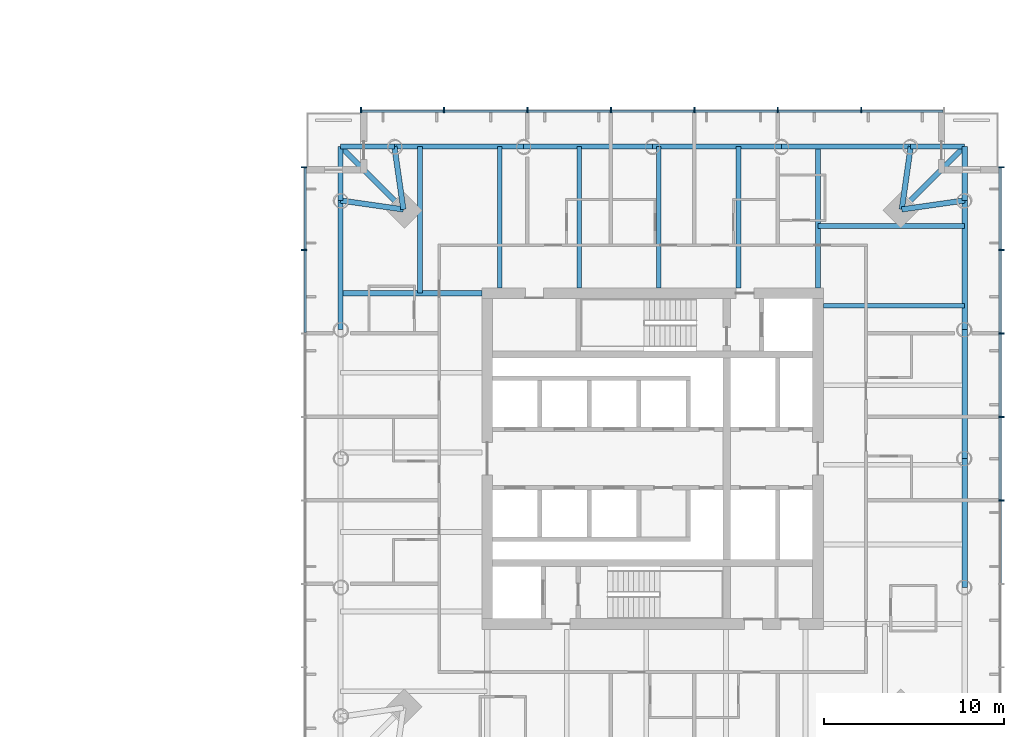
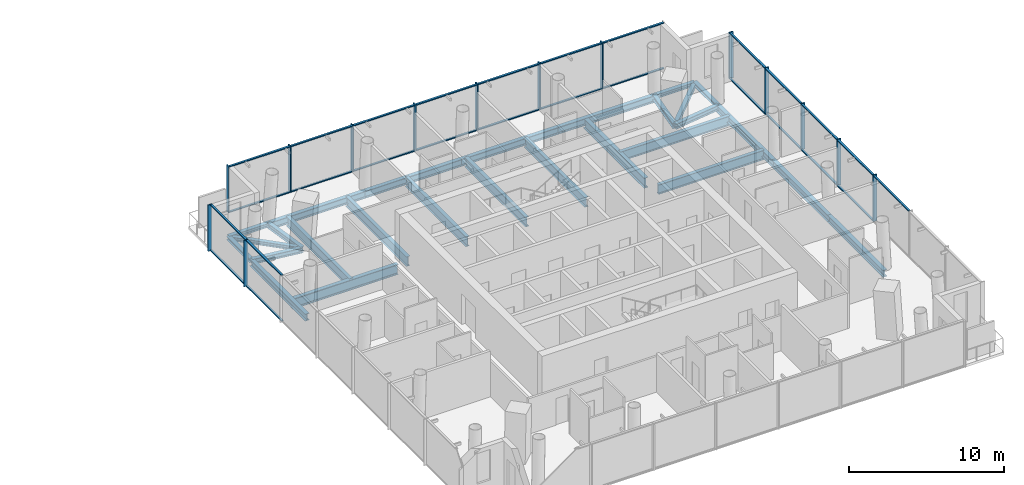
# One storey, part 6 of 21: 41 members, 27 beams, 3 elements without a shape of their own.
"""IFC4 building model written with IfcOpenShell, lengths in metres."""

from ifc_helpers import new_model, si_unit, direction, frame, origin, origin_2d, place, context, subcontext, project, spatial, rectangle, i_section, extrude, material, material_profile, profile_set, type_object, element, aggregate, save


model = new_model("IFC4")

# Units and contexts
model_context = context("Model", 3, precision=1e-05, world=origin(), true_north=direction((0.0, 1.0)))
body_context = subcontext(model_context, "Body", "Model", "MODEL_VIEW")
ifc_project = project(units=[si_unit("LENGTHUNIT", "METRE"), si_unit("AREAUNIT", "SQUARE_METRE"), si_unit("VOLUMEUNIT", "CUBIC_METRE"), si_unit("PLANEANGLEUNIT", "RADIAN"), si_unit("MASSUNIT", "GRAM", prefix="KILO")], contexts=[model_context])

# Site, building, storey
site_placement = place(None, origin())
site = spatial("IfcSite", under=ifc_project, at=site_placement, CompositionType="ELEMENT")
building_placement = place(site_placement, origin())
building = spatial("IfcBuilding", under=site, at=building_placement, Name="Ostroluk Exchange", CompositionType="ELEMENT")
storey_placement = place(building_placement, frame((0.0, 0.0, 59.0)))
storey = spatial("IfcBuildingStorey", under=building, at=storey_placement, Name="L14", CompositionType="ELEMENT", Elevation=59.0)

# Beams
ifc_material_1 = material(Name="Steel S355", Category="steel")
ifc_material_profile_1 = material_profile(ifc_material_1, i_section(OverallWidth=0.300048828125, OverallDepth=0.300048828125, WebThickness=0.010986328125, FlangeThickness=0.01904296875, FilletRadius=0.027099609375, at=origin_2d()), Name="HEB 300")
ifc_profile_set_1 = profile_set([ifc_material_profile_1], Name="Steel S355")
beam_type_1 = type_object("IfcBeamType", Name="Balcony beam HEB 300", PredefinedType="BEAM", material=ifc_profile_set_1)
for number, where, z_axis, x_axis, name in (
    (1, (134.362060546875, 60.362060546875, -0.35009765625), (0.0, 1.0, 0.0), (-1.0, 0.0, 0.0), "T2 east balcony beam a"),
    (2, (131.362060546875, 63.362060546875, -0.35009765625), (1.0, 0.0, 0.0), (0.0, 1.0, 0.0), "T2 east balcony beam b"),
):
    element("IfcBeam", number, at=place(storey_placement, frame(where, z_axis=z_axis, x_axis=x_axis)), inside=storey, type_object=beam_type_1, Name=name, PredefinedType="BEAM", context=body_context, shape_type="SweptSolid", body=[
        extrude(i_section(OverallWidth=0.300048828125, OverallDepth=0.300048828125, WebThickness=0.010986328125, FlangeThickness=0.01904296875, FilletRadius=0.027099609375, at=origin_2d()), origin(), (0.0, 0.0, 1.0), 3.0),
    ])
beam_1_placement = place(storey_placement, frame((130.862060546875, 59.862060546875, -0.35009765625), z_axis=(0.707106781187, 0.707106781187, 0.0), x_axis=(-0.707106781187, 0.707106781187, 0.0)))
element("IfcBeam", 3, at=beam_1_placement, inside=storey, type_object=beam_type_1, Name="T2 east balcony beam c", PredefinedType="BEAM", context=body_context, shape_type="SweptSolid", body=[
    extrude(i_section(OverallWidth=0.300048828125, OverallDepth=0.300048828125, WebThickness=0.010986328125, FlangeThickness=0.01904296875, FilletRadius=0.027099609375, at=origin_2d()), origin(), (0.0, 0.0, 1.0), 4.94970703125),
])
for number, where, z_axis, x_axis, name in (
    (4, (102.637939453125, 63.362060546875, -0.35009765625), (-1.0, 0.0, 0.0), (0.0, -1.0, 0.0), "T2 north balcony beam a"),
    (5, (99.637939453125, 60.362060546875, -0.35009765625), (0.0, 1.0, 0.0), (-1.0, 0.0, 0.0), "T2 north balcony beam b"),
):
    element("IfcBeam", number, at=place(storey_placement, frame(where, z_axis=z_axis, x_axis=x_axis)), inside=storey, type_object=beam_type_1, Name=name, PredefinedType="BEAM", context=body_context, shape_type="SweptSolid", body=[
        extrude(i_section(OverallWidth=0.300048828125, OverallDepth=0.300048828125, WebThickness=0.010986328125, FlangeThickness=0.01904296875, FilletRadius=0.027099609375, at=origin_2d()), origin(), (0.0, 0.0, 1.0), 3.0),
    ])
beam_2_placement = place(storey_placement, frame((103.137939453125, 59.862060546875, -0.35009765625), z_axis=(-0.707106781187, 0.707106781187, 0.0), x_axis=(-0.707106781187, -0.707106781187, 0.0)))
element("IfcBeam", 6, at=beam_2_placement, inside=storey, type_object=beam_type_1, Name="T2 north balcony beam c", PredefinedType="BEAM", context=body_context, shape_type="SweptSolid", body=[
    extrude(i_section(OverallWidth=0.300048828125, OverallDepth=0.300048828125, WebThickness=0.010986328125, FlangeThickness=0.01904296875, FilletRadius=0.027099609375, at=origin_2d()), origin(), (0.0, 0.0, 1.0), 4.94970703125),
])
ifc_material_2 = material(Name="Steel S355", Category="steel")
ifc_material_profile_2 = material_profile(ifc_material_2, i_section(OverallWidth=0.300048828125, OverallDepth=0.39990234375, WebThickness=0.013427734375, FlangeThickness=0.02392578125, FilletRadius=0.027099609375, at=origin_2d()), Name="HEB 400")
ifc_profile_set_2 = profile_set([ifc_material_profile_2], Name="Steel S355")
beam_type_2 = type_object("IfcBeamType", Name="Corner edge beam HEB 400", PredefinedType="SPANDREL", material=ifc_profile_set_2)
for number, where, z_axis, x_axis, name in (
    (7, (130.862060546875, 59.862060546875, -0.39990234375), (0.989949493661, 0.141421356237, 0.0), (-0.141421356237, 0.989949493661, 0.0), "T2 east corner edge beam a"),
    (8, (130.862060546875, 59.862060546875, -0.39990234375), (0.141421356237, 0.989949493661, 0.0), (-0.989949493661, 0.141421356237, 0.0), "T2 east corner edge beam b"),
    (9, (103.137939453125, 59.862060546875, -0.39990234375), (-0.141421356237, 0.989949493661, 0.0), (-0.989949493661, -0.141421356237, 0.0), "T2 north corner edge beam a"),
    (10, (103.137939453125, 59.862060546875, -0.39990234375), (-0.989949493661, 0.141421356237, 0.0), (-0.141421356237, -0.989949493661, 0.0), "T2 north corner edge beam b"),
):
    element("IfcBeam", number, at=place(storey_placement, frame(where, z_axis=z_axis, x_axis=x_axis)), inside=storey, type_object=beam_type_2, Name=name, PredefinedType="SPANDREL", context=body_context, shape_type="SweptSolid", body=[
        extrude(i_section(OverallWidth=0.300048828125, OverallDepth=0.39990234375, WebThickness=0.013427734375, FlangeThickness=0.02392578125, FilletRadius=0.027099609375, at=origin_2d()), origin(), (0.0, 0.0, 1.0), 3.53564453125),
    ])
ifc_material_3 = material(Name="Steel S355", Category="steel")
ifc_material_profile_3 = material_profile(ifc_material_3, i_section(OverallWidth=0.264892578125, OverallDepth=0.7529296875, WebThickness=0.01318359375, FlangeThickness=0.01708984375, FilletRadius=0.01708984375, at=origin_2d()), Name="IPE 750x147")
ifc_profile_set_3 = profile_set([ifc_material_profile_3], Name="Steel S355")
beam_type_3 = type_object("IfcBeamType", Name="Floor beam IPE 750x147", PredefinedType="BEAM", material=ifc_profile_set_3)
beam_3_placement = place(storey_placement, frame((126.5, 54.508056640625, -0.576416015625), z_axis=(1.0, 0.0, 0.0), x_axis=(0.0, 1.0, 0.0)))
element("IfcBeam", 11, at=beam_3_placement, inside=storey, type_object=beam_type_3, Name="T2 east floor beam 4", PredefinedType="BEAM", context=body_context, shape_type="SweptSolid", body=[
    extrude(i_section(OverallWidth=0.264892578125, OverallDepth=0.7529296875, WebThickness=0.01318359375, FlangeThickness=0.01708984375, FilletRadius=0.01708984375, at=origin_2d()), origin(), (0.0, 0.0, 1.0), 7.862060546875),
])
beam_4_placement = place(storey_placement, frame((126.199951171875, 58.93505859375, -0.576416015625), z_axis=(1.0, 0.0, 0.0), x_axis=(0.0, 1.0, 0.0)))
element("IfcBeam", 12, at=beam_4_placement, inside=storey, type_object=beam_type_3, Name="T2 east floor beam 5", PredefinedType="BEAM", context=body_context, shape_type="SweptSolid", body=[
    extrude(i_section(OverallWidth=0.264892578125, OverallDepth=0.7529296875, WebThickness=0.01318359375, FlangeThickness=0.01708984375, FilletRadius=0.01708984375, at=origin_2d()), origin(), (0.0, 0.0, 1.0), 8.162109375),
])
for number, where, z_axis, x_axis, name in (
    (13, (121.77294921875, 55.5, -0.576416015625), (0.0, 1.0, 0.0), (-1.0, 0.0, 0.0), "T2 north floor beam 1"),
    (14, (117.345947265625, 55.5, -0.576416015625), (0.0, 1.0, 0.0), (-1.0, 0.0, 0.0), "T2 north floor beam 2"),
    (15, (112.9189453125, 55.5, -0.576416015625), (0.0, 1.0, 0.0), (-1.0, 0.0, 0.0), "T2 north floor beam 3"),
    (16, (108.491943359375, 55.5, -0.576416015625), (0.0, 1.0, 0.0), (-1.0, 0.0, 0.0), "T2 north floor beam 4"),
):
    element("IfcBeam", number, at=place(storey_placement, frame(where, z_axis=z_axis, x_axis=x_axis)), inside=storey, type_object=beam_type_3, Name=name, PredefinedType="BEAM", context=body_context, shape_type="SweptSolid", body=[
        extrude(i_section(OverallWidth=0.264892578125, OverallDepth=0.7529296875, WebThickness=0.01318359375, FlangeThickness=0.01708984375, FilletRadius=0.01708984375, at=origin_2d()), origin(), (0.0, 0.0, 1.0), 7.862060546875),
    ])
beam_5_placement = place(storey_placement, frame((104.06494140625, 55.199951171875, -0.576416015625), z_axis=(0.0, 1.0, 0.0), x_axis=(-1.0, 0.0, 0.0)))
element("IfcBeam", 17, at=beam_5_placement, inside=storey, type_object=beam_type_3, Name="T2 north floor beam 5", PredefinedType="BEAM", context=body_context, shape_type="SweptSolid", body=[
    extrude(i_section(OverallWidth=0.264892578125, OverallDepth=0.7529296875, WebThickness=0.01318359375, FlangeThickness=0.01708984375, FilletRadius=0.01708984375, at=origin_2d()), origin(), (0.0, 0.0, 1.0), 8.162109375),
])
ifc_material_4 = material(Name="Steel S355", Category="steel")
ifc_material_profile_4 = material_profile(ifc_material_4, i_section(OverallWidth=0.300048828125, OverallDepth=0.800048828125, WebThickness=0.017578125, FlangeThickness=0.032958984375, FilletRadius=0.030029296875, at=origin_2d()), Name="HEB 800")
ifc_profile_set_4 = profile_set([ifc_material_profile_4], Name="Steel S355")
beam_type_4 = type_object("IfcBeamType", Name="Girder HEB 800", PredefinedType="BEAM", material=ifc_profile_set_4)
for number, where, z_axis, x_axis, name in (
    (18, (126.199951171875, 55.5, -0.60009765625), (0.0, 1.0, 0.0), (-1.0, 0.0, 0.0), "T2 east girder"),
    (19, (107.5, 55.199951171875, -0.60009765625), (-1.0, 0.0, 0.0), (0.0, -1.0, 0.0), "T2 north girder"),
):
    element("IfcBeam", number, at=place(storey_placement, frame(where, z_axis=z_axis, x_axis=x_axis)), inside=storey, type_object=beam_type_4, Name=name, PredefinedType="BEAM", context=body_context, shape_type="SweptSolid", body=[
        extrude(i_section(OverallWidth=0.300048828125, OverallDepth=0.800048828125, WebThickness=0.017578125, FlangeThickness=0.032958984375, FilletRadius=0.030029296875, at=origin_2d()), origin(), (0.0, 0.0, 1.0), 7.862060546875),
    ])
ifc_material_5 = material(Name="Steel S355", Category="steel")
ifc_material_profile_5 = material_profile(ifc_material_5, i_section(OverallWidth=0.300048828125, OverallDepth=0.550048828125, WebThickness=0.014892578125, FlangeThickness=0.029052734375, FilletRadius=0.027099609375, at=origin_2d()), Name="HEB 550")
ifc_profile_set_5 = profile_set([ifc_material_profile_5], Name="Steel S355")
beam_type_5 = type_object("IfcBeamType", Name="Moment-connected edge beam HEB 550", PredefinedType="SPANDREL", material=ifc_profile_set_5)
for number, where, z_axis, x_axis, name in (
    (20, (134.362060546875, 38.81884765625, -0.47509765625), (0.0, 1.0, 0.0), (-1.0, 0.0, 0.0), "T2 east edge beam 2"),
    (21, (134.362060546875, 46.0, -0.47509765625), (0.0, 1.0, 0.0), (-1.0, 0.0, 0.0), "T2 east edge beam 3"),
):
    element("IfcBeam", number, at=place(storey_placement, frame(where, z_axis=z_axis, x_axis=x_axis)), inside=storey, type_object=beam_type_5, Name=name, PredefinedType="SPANDREL", context=body_context, shape_type="SweptSolid", body=[
        extrude(i_section(OverallWidth=0.300048828125, OverallDepth=0.550048828125, WebThickness=0.014892578125, FlangeThickness=0.029052734375, FilletRadius=0.027099609375, at=origin_2d()), origin(), (0.0, 0.0, 1.0), 7.18115234375),
    ])
for number, where, z_axis, x_axis, name in (
    (22, (134.362060546875, 53.18115234375, -0.47509765625), (0.0, 1.0, 0.0), (-1.0, 0.0, 0.0), "T2 east edge beam 4"),
    (23, (131.362060546875, 63.362060546875, -0.47509765625), (-1.0, 0.0, 0.0), (0.0, -1.0, 0.0), "T2 north edge beam 1"),
):
    element("IfcBeam", number, at=place(storey_placement, frame(where, z_axis=z_axis, x_axis=x_axis)), inside=storey, type_object=beam_type_5, Name=name, PredefinedType="SPANDREL", context=body_context, shape_type="SweptSolid", body=[
        extrude(i_section(OverallWidth=0.300048828125, OverallDepth=0.550048828125, WebThickness=0.014892578125, FlangeThickness=0.029052734375, FilletRadius=0.027099609375, at=origin_2d()), origin(), (0.0, 0.0, 1.0), 7.180908203125),
    ])
for number, where, z_axis, x_axis, name in (
    (24, (124.18115234375, 63.362060546875, -0.47509765625), (-1.0, 0.0, 0.0), (0.0, -1.0, 0.0), "T2 north edge beam 2"),
    (25, (117.0, 63.362060546875, -0.47509765625), (-1.0, 0.0, 0.0), (0.0, -1.0, 0.0), "T2 north edge beam 3"),
):
    element("IfcBeam", number, at=place(storey_placement, frame(where, z_axis=z_axis, x_axis=x_axis)), inside=storey, type_object=beam_type_5, Name=name, PredefinedType="SPANDREL", context=body_context, shape_type="SweptSolid", body=[
        extrude(i_section(OverallWidth=0.300048828125, OverallDepth=0.550048828125, WebThickness=0.014892578125, FlangeThickness=0.029052734375, FilletRadius=0.027099609375, at=origin_2d()), origin(), (0.0, 0.0, 1.0), 7.18115234375),
    ])
for number, where, z_axis, x_axis, name in (
    (26, (109.81884765625, 63.362060546875, -0.47509765625), (-1.0, 0.0, 0.0), (0.0, -1.0, 0.0), "T2 north edge beam 4"),
    (27, (99.637939453125, 60.362060546875, -0.47509765625), (0.0, -1.0, 0.0), (1.0, 0.0, 0.0), "T2 west edge beam 1"),
):
    element("IfcBeam", number, at=place(storey_placement, frame(where, z_axis=z_axis, x_axis=x_axis)), inside=storey, type_object=beam_type_5, Name=name, PredefinedType="SPANDREL", context=body_context, shape_type="SweptSolid", body=[
        extrude(i_section(OverallWidth=0.300048828125, OverallDepth=0.550048828125, WebThickness=0.014892578125, FlangeThickness=0.029052734375, FilletRadius=0.027099609375, at=origin_2d()), origin(), (0.0, 0.0, 1.0), 7.180908203125),
    ])

# Curtain wall, members
ifc_material_6 = material(Name="Laminated clear glass", Category="glass")
curtain_wall_type = type_object("IfcCurtainWallType", Name="Hotel guest floor facade", PredefinedType="USERDEFINED", material=ifc_material_6)
curtain_wall_1_placement = place(storey_placement, origin())
curtain_wall_1 = element("IfcCurtainWall", 28, at=curtain_wall_1_placement, inside=storey, type_object=curtain_wall_type, Name="Hotel tower east facade L14", ObjectType="UNITISED CURTAIN WALL", PredefinedType="USERDEFINED")
ifc_material_7 = material(Name="Aluminium mullion", Category="aluminium")
ifc_material_profile_6 = material_profile(ifc_material_7, rectangle(XDim=0.14990234375, YDim=0.080078125, at=origin_2d()), Name="Sill transom 80 x 150")
ifc_profile_set_6 = profile_set([ifc_material_profile_6], Name="Aluminium mullion")
member_type_1 = type_object("IfcMemberType", Name="Sill transom 80 x 150", PredefinedType="USERDEFINED", material=ifc_profile_set_6)
member_1_placement = place(storey_placement, frame((136.324951171875, 39.07568359375, 3.610107421875), z_axis=(0.0, 1.0, 0.0), x_axis=(-1.0, 0.0, 0.0)))
member_1 = element("IfcMember", 29, at=member_1_placement, type_object=member_type_1, Name="CW-H1 transom 3.2", ObjectType="TRANSOM", PredefinedType="USERDEFINED", context=body_context, shape_type="SweptSolid", body=[
    extrude(rectangle(XDim=0.14990234375, YDim=0.080078125, at=origin_2d()), origin(), (0.0, 0.0, 1.0), 4.56298828125),
])
member_2_placement = place(storey_placement, frame((136.324951171875, 43.718505859375, 0.0400390625), z_axis=(0.0, 1.0, 0.0), x_axis=(-1.0, 0.0, 0.0)))
member_2 = element("IfcMember", 30, at=member_2_placement, type_object=member_type_1, Name="CW-H1 transom 4.1", ObjectType="TRANSOM", PredefinedType="USERDEFINED", context=body_context, shape_type="SweptSolid", body=[
    extrude(rectangle(XDim=0.14990234375, YDim=0.080078125, at=origin_2d()), origin(), (0.0, 0.0, 1.0), 4.56298828125),
])
member_3_placement = place(storey_placement, frame((136.324951171875, 43.718505859375, 3.610107421875), z_axis=(0.0, 1.0, 0.0), x_axis=(-1.0, 0.0, 0.0)))
member_3 = element("IfcMember", 31, at=member_3_placement, type_object=member_type_1, Name="CW-H1 transom 4.2", ObjectType="TRANSOM", PredefinedType="USERDEFINED", context=body_context, shape_type="SweptSolid", body=[
    extrude(rectangle(XDim=0.14990234375, YDim=0.080078125, at=origin_2d()), origin(), (0.0, 0.0, 1.0), 4.56298828125),
])
member_4_placement = place(storey_placement, frame((136.324951171875, 48.361328125, 0.0400390625), z_axis=(0.0, 1.0, 0.0), x_axis=(-1.0, 0.0, 0.0)))
member_4 = element("IfcMember", 32, at=member_4_placement, type_object=member_type_1, Name="CW-H1 transom 5.1", ObjectType="TRANSOM", PredefinedType="USERDEFINED", context=body_context, shape_type="SweptSolid", body=[
    extrude(rectangle(XDim=0.14990234375, YDim=0.080078125, at=origin_2d()), origin(), (0.0, 0.0, 1.0), 4.56298828125),
])
member_5_placement = place(storey_placement, frame((136.324951171875, 48.361328125, 3.610107421875), z_axis=(0.0, 1.0, 0.0), x_axis=(-1.0, 0.0, 0.0)))
member_5 = element("IfcMember", 33, at=member_5_placement, type_object=member_type_1, Name="CW-H1 transom 5.2", ObjectType="TRANSOM", PredefinedType="USERDEFINED", context=body_context, shape_type="SweptSolid", body=[
    extrude(rectangle(XDim=0.14990234375, YDim=0.080078125, at=origin_2d()), origin(), (0.0, 0.0, 1.0), 4.56298828125),
])
member_6_placement = place(storey_placement, frame((136.324951171875, 53.00439453125, 0.0400390625), z_axis=(0.0, 1.0, 0.0), x_axis=(-1.0, 0.0, 0.0)))
member_6 = element("IfcMember", 34, at=member_6_placement, type_object=member_type_1, Name="CW-H1 transom 6.1", ObjectType="TRANSOM", PredefinedType="USERDEFINED", context=body_context, shape_type="SweptSolid", body=[
    extrude(rectangle(XDim=0.14990234375, YDim=0.080078125, at=origin_2d()), origin(), (0.0, 0.0, 1.0), 4.562744140625),
])
member_7_placement = place(storey_placement, frame((136.324951171875, 53.00439453125, 3.610107421875), z_axis=(0.0, 1.0, 0.0), x_axis=(-1.0, 0.0, 0.0)))
member_7 = element("IfcMember", 35, at=member_7_placement, type_object=member_type_1, Name="CW-H1 transom 6.2", ObjectType="TRANSOM", PredefinedType="USERDEFINED", context=body_context, shape_type="SweptSolid", body=[
    extrude(rectangle(XDim=0.14990234375, YDim=0.080078125, at=origin_2d()), origin(), (0.0, 0.0, 1.0), 4.562744140625),
])
member_8_placement = place(storey_placement, frame((136.324951171875, 57.647216796875, 0.0400390625), z_axis=(0.0, 1.0, 0.0), x_axis=(-1.0, 0.0, 0.0)))
member_8 = element("IfcMember", 36, at=member_8_placement, type_object=member_type_1, Name="CW-H1 transom 7.1", ObjectType="TRANSOM", PredefinedType="USERDEFINED", context=body_context, shape_type="SweptSolid", body=[
    extrude(rectangle(XDim=0.14990234375, YDim=0.080078125, at=origin_2d()), origin(), (0.0, 0.0, 1.0), 4.522705078125),
])
member_9_placement = place(storey_placement, frame((136.324951171875, 57.647216796875, 3.610107421875), z_axis=(0.0, 1.0, 0.0), x_axis=(-1.0, 0.0, 0.0)))
member_9 = element("IfcMember", 37, at=member_9_placement, type_object=member_type_1, Name="CW-H1 transom 7.2", ObjectType="TRANSOM", PredefinedType="USERDEFINED", context=body_context, shape_type="SweptSolid", body=[
    extrude(rectangle(XDim=0.14990234375, YDim=0.080078125, at=origin_2d()), origin(), (0.0, 0.0, 1.0), 4.522705078125),
])

curtain_wall_2_placement = place(storey_placement, origin())
curtain_wall_2 = element("IfcCurtainWall", 38, at=curtain_wall_2_placement, inside=storey, type_object=curtain_wall_type, Name="Hotel tower north facade L14", ObjectType="UNITISED CURTAIN WALL", PredefinedType="USERDEFINED")
member_10_placement = place(storey_placement, frame((133.169921875, 65.324951171875, 0.0400390625), z_axis=(-1.0, 0.0, 0.0), x_axis=(0.0, -1.0, 0.0)))
member_10 = element("IfcMember", 39, at=member_10_placement, type_object=member_type_1, Name="CW-H1 transom 1.1", ObjectType="TRANSOM", PredefinedType="USERDEFINED", context=body_context, shape_type="SweptSolid", body=[
    extrude(rectangle(XDim=0.14990234375, YDim=0.080078125, at=origin_2d()), origin(), (0.0, 0.0, 1.0), 4.522705078125),
])
member_11_placement = place(storey_placement, frame((133.169921875, 65.324951171875, 3.610107421875), z_axis=(-1.0, 0.0, 0.0), x_axis=(0.0, -1.0, 0.0)))
member_11 = element("IfcMember", 40, at=member_11_placement, type_object=member_type_1, Name="CW-H1 transom 1.2", ObjectType="TRANSOM", PredefinedType="USERDEFINED", context=body_context, shape_type="SweptSolid", body=[
    extrude(rectangle(XDim=0.14990234375, YDim=0.080078125, at=origin_2d()), origin(), (0.0, 0.0, 1.0), 4.522705078125),
])
member_12_placement = place(storey_placement, frame((128.567138671875, 65.324951171875, 0.0400390625), z_axis=(-1.0, 0.0, 0.0), x_axis=(0.0, -1.0, 0.0)))
member_12 = element("IfcMember", 41, at=member_12_placement, type_object=member_type_1, Name="CW-H1 transom 2.1", ObjectType="TRANSOM", PredefinedType="USERDEFINED", context=body_context, shape_type="SweptSolid", body=[
    extrude(rectangle(XDim=0.14990234375, YDim=0.080078125, at=origin_2d()), origin(), (0.0, 0.0, 1.0), 4.562744140625),
])
member_13_placement = place(storey_placement, frame((128.567138671875, 65.324951171875, 3.610107421875), z_axis=(-1.0, 0.0, 0.0), x_axis=(0.0, -1.0, 0.0)))
member_13 = element("IfcMember", 42, at=member_13_placement, type_object=member_type_1, Name="CW-H1 transom 2.2", ObjectType="TRANSOM", PredefinedType="USERDEFINED", context=body_context, shape_type="SweptSolid", body=[
    extrude(rectangle(XDim=0.14990234375, YDim=0.080078125, at=origin_2d()), origin(), (0.0, 0.0, 1.0), 4.562744140625),
])
member_14_placement = place(storey_placement, frame((123.92431640625, 65.324951171875, 0.0400390625), z_axis=(-1.0, 0.0, 0.0), x_axis=(0.0, -1.0, 0.0)))
member_14 = element("IfcMember", 43, at=member_14_placement, type_object=member_type_1, Name="CW-H1 transom 3.1", ObjectType="TRANSOM", PredefinedType="USERDEFINED", context=body_context, shape_type="SweptSolid", body=[
    extrude(rectangle(XDim=0.14990234375, YDim=0.080078125, at=origin_2d()), origin(), (0.0, 0.0, 1.0), 4.56298828125),
])
member_15_placement = place(storey_placement, frame((123.92431640625, 65.324951171875, 3.610107421875), z_axis=(-1.0, 0.0, 0.0), x_axis=(0.0, -1.0, 0.0)))
member_15 = element("IfcMember", 44, at=member_15_placement, type_object=member_type_1, Name="CW-H1 transom 3.2", ObjectType="TRANSOM", PredefinedType="USERDEFINED", context=body_context, shape_type="SweptSolid", body=[
    extrude(rectangle(XDim=0.14990234375, YDim=0.080078125, at=origin_2d()), origin(), (0.0, 0.0, 1.0), 4.56298828125),
])
member_16_placement = place(storey_placement, frame((119.281494140625, 65.324951171875, 0.0400390625), z_axis=(-1.0, 0.0, 0.0), x_axis=(0.0, -1.0, 0.0)))
member_16 = element("IfcMember", 45, at=member_16_placement, type_object=member_type_1, Name="CW-H1 transom 4.1", ObjectType="TRANSOM", PredefinedType="USERDEFINED", context=body_context, shape_type="SweptSolid", body=[
    extrude(rectangle(XDim=0.14990234375, YDim=0.080078125, at=origin_2d()), origin(), (0.0, 0.0, 1.0), 4.56298828125),
])
member_17_placement = place(storey_placement, frame((119.281494140625, 65.324951171875, 3.610107421875), z_axis=(-1.0, 0.0, 0.0), x_axis=(0.0, -1.0, 0.0)))
member_17 = element("IfcMember", 46, at=member_17_placement, type_object=member_type_1, Name="CW-H1 transom 4.2", ObjectType="TRANSOM", PredefinedType="USERDEFINED", context=body_context, shape_type="SweptSolid", body=[
    extrude(rectangle(XDim=0.14990234375, YDim=0.080078125, at=origin_2d()), origin(), (0.0, 0.0, 1.0), 4.56298828125),
])
member_18_placement = place(storey_placement, frame((114.638671875, 65.324951171875, 0.0400390625), z_axis=(-1.0, 0.0, 0.0), x_axis=(0.0, -1.0, 0.0)))
member_18 = element("IfcMember", 47, at=member_18_placement, type_object=member_type_1, Name="CW-H1 transom 5.1", ObjectType="TRANSOM", PredefinedType="USERDEFINED", context=body_context, shape_type="SweptSolid", body=[
    extrude(rectangle(XDim=0.14990234375, YDim=0.080078125, at=origin_2d()), origin(), (0.0, 0.0, 1.0), 4.56298828125),
])
member_19_placement = place(storey_placement, frame((114.638671875, 65.324951171875, 3.610107421875), z_axis=(-1.0, 0.0, 0.0), x_axis=(0.0, -1.0, 0.0)))
member_19 = element("IfcMember", 48, at=member_19_placement, type_object=member_type_1, Name="CW-H1 transom 5.2", ObjectType="TRANSOM", PredefinedType="USERDEFINED", context=body_context, shape_type="SweptSolid", body=[
    extrude(rectangle(XDim=0.14990234375, YDim=0.080078125, at=origin_2d()), origin(), (0.0, 0.0, 1.0), 4.56298828125),
])
member_20_placement = place(storey_placement, frame((109.99560546875, 65.324951171875, 0.0400390625), z_axis=(-1.0, 0.0, 0.0), x_axis=(0.0, -1.0, 0.0)))
member_20 = element("IfcMember", 49, at=member_20_placement, type_object=member_type_1, Name="CW-H1 transom 6.1", ObjectType="TRANSOM", PredefinedType="USERDEFINED", context=body_context, shape_type="SweptSolid", body=[
    extrude(rectangle(XDim=0.14990234375, YDim=0.080078125, at=origin_2d()), origin(), (0.0, 0.0, 1.0), 4.562744140625),
])
member_21_placement = place(storey_placement, frame((109.99560546875, 65.324951171875, 3.610107421875), z_axis=(-1.0, 0.0, 0.0), x_axis=(0.0, -1.0, 0.0)))
member_21 = element("IfcMember", 50, at=member_21_placement, type_object=member_type_1, Name="CW-H1 transom 6.2", ObjectType="TRANSOM", PredefinedType="USERDEFINED", context=body_context, shape_type="SweptSolid", body=[
    extrude(rectangle(XDim=0.14990234375, YDim=0.080078125, at=origin_2d()), origin(), (0.0, 0.0, 1.0), 4.562744140625),
])
member_22_placement = place(storey_placement, frame((105.352783203125, 65.324951171875, 0.0400390625), z_axis=(-1.0, 0.0, 0.0), x_axis=(0.0, -1.0, 0.0)))
member_22 = element("IfcMember", 51, at=member_22_placement, type_object=member_type_1, Name="CW-H1 transom 7.1", ObjectType="TRANSOM", PredefinedType="USERDEFINED", context=body_context, shape_type="SweptSolid", body=[
    extrude(rectangle(XDim=0.14990234375, YDim=0.080078125, at=origin_2d()), origin(), (0.0, 0.0, 1.0), 4.522705078125),
])
member_23_placement = place(storey_placement, frame((105.352783203125, 65.324951171875, 3.610107421875), z_axis=(-1.0, 0.0, 0.0), x_axis=(0.0, -1.0, 0.0)))
member_23 = element("IfcMember", 52, at=member_23_placement, type_object=member_type_1, Name="CW-H1 transom 7.2", ObjectType="TRANSOM", PredefinedType="USERDEFINED", context=body_context, shape_type="SweptSolid", body=[
    extrude(rectangle(XDim=0.14990234375, YDim=0.080078125, at=origin_2d()), origin(), (0.0, 0.0, 1.0), 4.522705078125),
])

curtain_wall_3_placement = place(storey_placement, origin())
curtain_wall_3 = element("IfcCurtainWall", 53, at=curtain_wall_3_placement, inside=storey, type_object=curtain_wall_type, Name="Hotel tower west facade L14", ObjectType="UNITISED CURTAIN WALL", PredefinedType="USERDEFINED")
member_24_placement = place(storey_placement, frame((97.675048828125, 62.169921875, 0.0400390625), z_axis=(0.0, -1.0, 0.0), x_axis=(1.0, 0.0, 0.0)))
member_24 = element("IfcMember", 54, at=member_24_placement, type_object=member_type_1, Name="CW-H1 transom 1.1", ObjectType="TRANSOM", PredefinedType="USERDEFINED", context=body_context, shape_type="SweptSolid", body=[
    extrude(rectangle(XDim=0.14990234375, YDim=0.080078125, at=origin_2d()), origin(), (0.0, 0.0, 1.0), 4.522705078125),
])
member_25_placement = place(storey_placement, frame((97.675048828125, 62.169921875, 3.610107421875), z_axis=(0.0, -1.0, 0.0), x_axis=(1.0, 0.0, 0.0)))
member_25 = element("IfcMember", 55, at=member_25_placement, type_object=member_type_1, Name="CW-H1 transom 1.2", ObjectType="TRANSOM", PredefinedType="USERDEFINED", context=body_context, shape_type="SweptSolid", body=[
    extrude(rectangle(XDim=0.14990234375, YDim=0.080078125, at=origin_2d()), origin(), (0.0, 0.0, 1.0), 4.522705078125),
])
member_26_placement = place(storey_placement, frame((97.675048828125, 57.567138671875, 0.0400390625), z_axis=(0.0, -1.0, 0.0), x_axis=(1.0, 0.0, 0.0)))
member_26 = element("IfcMember", 56, at=member_26_placement, type_object=member_type_1, Name="CW-H1 transom 2.1", ObjectType="TRANSOM", PredefinedType="USERDEFINED", context=body_context, shape_type="SweptSolid", body=[
    extrude(rectangle(XDim=0.14990234375, YDim=0.080078125, at=origin_2d()), origin(), (0.0, 0.0, 1.0), 4.562744140625),
])
member_27_placement = place(storey_placement, frame((97.675048828125, 57.567138671875, 3.610107421875), z_axis=(0.0, -1.0, 0.0), x_axis=(1.0, 0.0, 0.0)))
member_27 = element("IfcMember", 57, at=member_27_placement, type_object=member_type_1, Name="CW-H1 transom 2.2", ObjectType="TRANSOM", PredefinedType="USERDEFINED", context=body_context, shape_type="SweptSolid", body=[
    extrude(rectangle(XDim=0.14990234375, YDim=0.080078125, at=origin_2d()), origin(), (0.0, 0.0, 1.0), 4.562744140625),
])

# Member
ifc_material_8 = material(Name="Aluminium mullion with limestone facing", Category="masonry")
ifc_material_profile_7 = material_profile(ifc_material_8, rectangle(XDim=0.300048828125, YDim=0.080078125, at=origin_2d()), Name="Tracery mullion 80 x 300")
ifc_profile_set_7 = profile_set([ifc_material_profile_7], Name="Aluminium mullion with limestone facing")
member_type_2 = type_object("IfcMemberType", Name="Tracery mullion 80 x 300", PredefinedType="MULLION", material=ifc_profile_set_7)
member_28_placement = place(storey_placement, frame((136.39990234375, 43.678466796875, 0.0), z_axis=(0.0, 0.0, 1.0), x_axis=(-1.0, 0.0, 0.0)))
member_28 = element("IfcMember", 58, at=member_28_placement, type_object=member_type_2, Name="CW-H1 mullion 4", PredefinedType="MULLION", context=body_context, shape_type="SweptSolid", body=[
    extrude(rectangle(XDim=0.300048828125, YDim=0.080078125, at=origin_2d()), origin(), (0.0, 0.0, 1.0), 3.64990234375),
])

member_29_placement = place(storey_placement, frame((136.39990234375, 48.321533203125, 0.0), z_axis=(0.0, 0.0, 1.0), x_axis=(-1.0, 0.0, 0.0)))
member_29 = element("IfcMember", 59, at=member_29_placement, type_object=member_type_2, Name="CW-H1 mullion 5", PredefinedType="MULLION", context=body_context, shape_type="SweptSolid", body=[
    extrude(rectangle(XDim=0.300048828125, YDim=0.080078125, at=origin_2d()), origin(), (0.0, 0.0, 1.0), 3.64990234375),
])

member_30_placement = place(storey_placement, frame((136.39990234375, 52.96435546875, 0.0), z_axis=(0.0, 0.0, 1.0), x_axis=(-1.0, 0.0, 0.0)))
member_30 = element("IfcMember", 60, at=member_30_placement, type_object=member_type_2, Name="CW-H1 mullion 6", PredefinedType="MULLION", context=body_context, shape_type="SweptSolid", body=[
    extrude(rectangle(XDim=0.300048828125, YDim=0.080078125, at=origin_2d()), origin(), (0.0, 0.0, 1.0), 3.64990234375),
])

member_31_placement = place(storey_placement, frame((136.39990234375, 57.607177734375, 0.0), z_axis=(0.0, 0.0, 1.0), x_axis=(-1.0, 0.0, 0.0)))
member_31 = element("IfcMember", 61, at=member_31_placement, type_object=member_type_2, Name="CW-H1 mullion 7", PredefinedType="MULLION", context=body_context, shape_type="SweptSolid", body=[
    extrude(rectangle(XDim=0.300048828125, YDim=0.080078125, at=origin_2d()), origin(), (0.0, 0.0, 1.0), 3.64990234375),
])

member_32_placement = place(storey_placement, frame((136.39990234375, 62.2099609375, 0.0), z_axis=(0.0, 0.0, 1.0), x_axis=(-1.0, 0.0, 0.0)))
member_32 = element("IfcMember", 62, at=member_32_placement, type_object=member_type_2, Name="CW-H1 mullion 8", PredefinedType="MULLION", context=body_context, shape_type="SweptSolid", body=[
    extrude(rectangle(XDim=0.300048828125, YDim=0.080078125, at=origin_2d()), origin(), (0.0, 0.0, 1.0), 3.64990234375),
])

aggregate(curtain_wall_1, [member_28, member_29, member_30, member_31, member_32, member_1, member_2, member_3, member_4, member_5, member_6, member_7, member_8, member_9])

member_33_placement = place(storey_placement, frame((128.607177734375, 65.39990234375, 0.0), z_axis=(0.0, 0.0, 1.0), x_axis=(0.0, -1.0, 0.0)))
member_33 = element("IfcMember", 63, at=member_33_placement, type_object=member_type_2, Name="CW-H1 mullion 2", PredefinedType="MULLION", context=body_context, shape_type="SweptSolid", body=[
    extrude(rectangle(XDim=0.300048828125, YDim=0.080078125, at=origin_2d()), origin(), (0.0, 0.0, 1.0), 3.64990234375),
])

member_34_placement = place(storey_placement, frame((123.96435546875, 65.39990234375, 0.0), z_axis=(0.0, 0.0, 1.0), x_axis=(0.0, -1.0, 0.0)))
member_34 = element("IfcMember", 64, at=member_34_placement, type_object=member_type_2, Name="CW-H1 mullion 3", PredefinedType="MULLION", context=body_context, shape_type="SweptSolid", body=[
    extrude(rectangle(XDim=0.300048828125, YDim=0.080078125, at=origin_2d()), origin(), (0.0, 0.0, 1.0), 3.64990234375),
])

member_35_placement = place(storey_placement, frame((119.321533203125, 65.39990234375, 0.0), z_axis=(0.0, 0.0, 1.0), x_axis=(0.0, -1.0, 0.0)))
member_35 = element("IfcMember", 65, at=member_35_placement, type_object=member_type_2, Name="CW-H1 mullion 4", PredefinedType="MULLION", context=body_context, shape_type="SweptSolid", body=[
    extrude(rectangle(XDim=0.300048828125, YDim=0.080078125, at=origin_2d()), origin(), (0.0, 0.0, 1.0), 3.64990234375),
])

member_36_placement = place(storey_placement, frame((114.678466796875, 65.39990234375, 0.0), z_axis=(0.0, 0.0, 1.0), x_axis=(0.0, -1.0, 0.0)))
member_36 = element("IfcMember", 66, at=member_36_placement, type_object=member_type_2, Name="CW-H1 mullion 5", PredefinedType="MULLION", context=body_context, shape_type="SweptSolid", body=[
    extrude(rectangle(XDim=0.300048828125, YDim=0.080078125, at=origin_2d()), origin(), (0.0, 0.0, 1.0), 3.64990234375),
])

member_37_placement = place(storey_placement, frame((110.03564453125, 65.39990234375, 0.0), z_axis=(0.0, 0.0, 1.0), x_axis=(0.0, -1.0, 0.0)))
member_37 = element("IfcMember", 67, at=member_37_placement, type_object=member_type_2, Name="CW-H1 mullion 6", PredefinedType="MULLION", context=body_context, shape_type="SweptSolid", body=[
    extrude(rectangle(XDim=0.300048828125, YDim=0.080078125, at=origin_2d()), origin(), (0.0, 0.0, 1.0), 3.64990234375),
])

member_38_placement = place(storey_placement, frame((105.392822265625, 65.39990234375, 0.0), z_axis=(0.0, 0.0, 1.0), x_axis=(0.0, -1.0, 0.0)))
member_38 = element("IfcMember", 68, at=member_38_placement, type_object=member_type_2, Name="CW-H1 mullion 7", PredefinedType="MULLION", context=body_context, shape_type="SweptSolid", body=[
    extrude(rectangle(XDim=0.300048828125, YDim=0.080078125, at=origin_2d()), origin(), (0.0, 0.0, 1.0), 3.64990234375),
])

member_39_placement = place(storey_placement, frame((100.7900390625, 65.39990234375, 0.0), z_axis=(0.0, 0.0, 1.0), x_axis=(0.0, -1.0, 0.0)))
member_39 = element("IfcMember", 69, at=member_39_placement, type_object=member_type_2, Name="CW-H1 mullion 8", PredefinedType="MULLION", context=body_context, shape_type="SweptSolid", body=[
    extrude(rectangle(XDim=0.300048828125, YDim=0.080078125, at=origin_2d()), origin(), (0.0, 0.0, 1.0), 3.64990234375),
])

aggregate(curtain_wall_2, [member_33, member_34, member_35, member_36, member_37, member_38, member_39, member_10, member_11, member_12, member_13, member_14, member_15, member_16, member_17, member_18, member_19, member_20, member_21, member_22, member_23])

member_40_placement = place(storey_placement, frame((97.60009765625, 62.2099609375, 0.0), z_axis=(0.0, 0.0, 1.0), x_axis=(1.0, 0.0, 0.0)))
member_40 = element("IfcMember", 70, at=member_40_placement, type_object=member_type_2, Name="CW-H1 mullion 1", PredefinedType="MULLION", context=body_context, shape_type="SweptSolid", body=[
    extrude(rectangle(XDim=0.300048828125, YDim=0.080078125, at=origin_2d()), origin(), (0.0, 0.0, 1.0), 3.64990234375),
])

member_41_placement = place(storey_placement, frame((97.60009765625, 57.607177734375, 0.0), z_axis=(0.0, 0.0, 1.0), x_axis=(1.0, 0.0, 0.0)))
member_41 = element("IfcMember", 71, at=member_41_placement, type_object=member_type_2, Name="CW-H1 mullion 2", PredefinedType="MULLION", context=body_context, shape_type="SweptSolid", body=[
    extrude(rectangle(XDim=0.300048828125, YDim=0.080078125, at=origin_2d()), origin(), (0.0, 0.0, 1.0), 3.64990234375),
])

aggregate(curtain_wall_3, [member_40, member_41, member_24, member_25, member_26, member_27])

save(model, "model.ifc")
